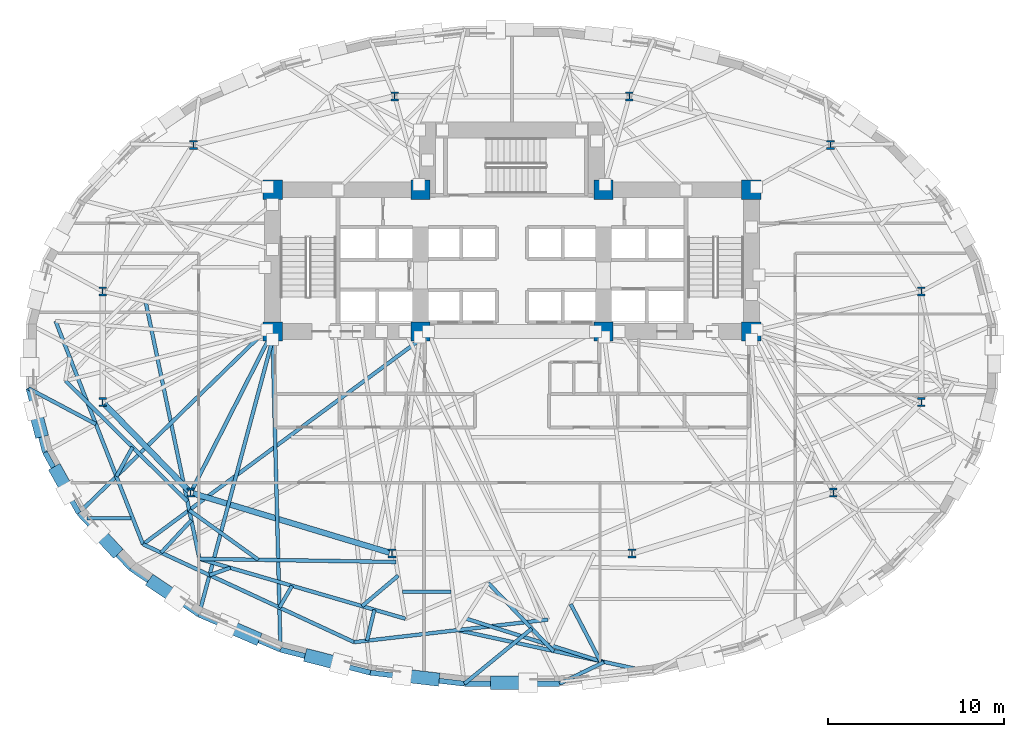
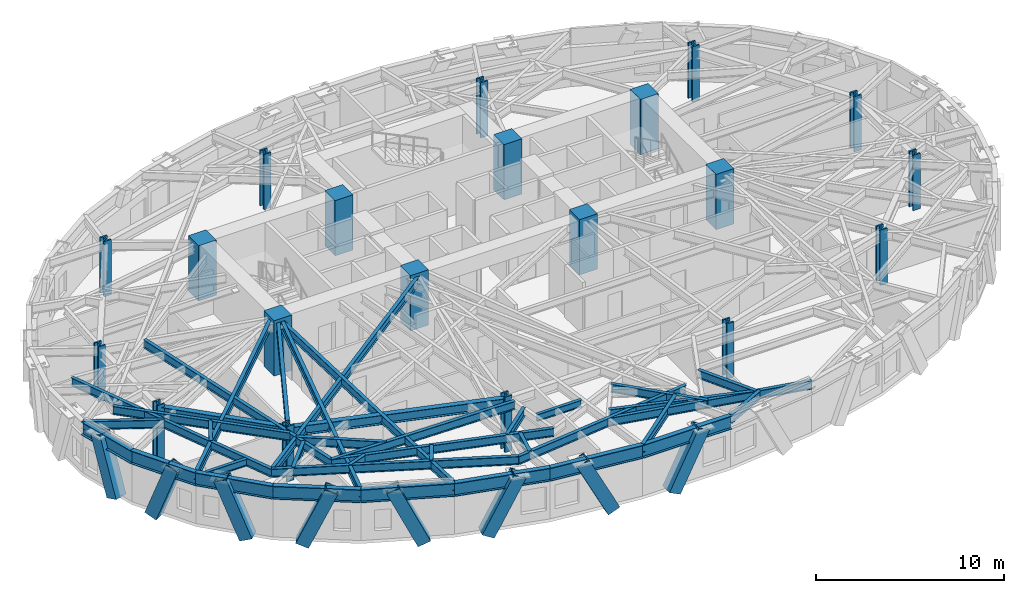
# One storey, part 1 of 14: 38 beams, 20 columns, 8 members.
"""IFC4 building model written with IfcOpenShell, lengths in metres."""

import ifcopenshell
import ifcopenshell.guid

model = None  # the IFC model being written
_history = None  # IfcOwnerHistory: only IFC2X3 demands one
_inside = {}  # id of a spatial element -> (the spatial element, [elements in it])
_under = {}  # id of a project, library or spatial element -> (it, [spatial elements below it])
_declared = {}  # id of a project -> (the project, [libraries it declares])
_typed = {}  # id of a type object -> (the type object, [elements of that type])
_made_of = {}  # id of a material, layer set ... -> (it, [elements and type objects made of it])


def new_model(schema):
    """Start an empty IFC model of exactly this schema.

    Asked for "IFC4X3", IfcOpenShell would pick the latest addendum, in which some entities
    have other attributes; the version numbers below select the first issue.
    IFC2X3 requires an IfcOwnerHistory on every rooted entity: one is made here for all.
    """
    global model, _history
    if schema == "IFC4X3":
        model = ifcopenshell.file(schema_version=(4, 3, 0, 0))
    else:
        model = ifcopenshell.file(schema=schema)
    _inside.clear()
    _under.clear()
    _declared.clear()
    _typed.clear()
    _made_of.clear()
    _history = None
    if model.schema == "IFC2X3":
        org = make("IfcOrganization", Name="unknown")
        user = make(
            "IfcPersonAndOrganization",
            ThePerson=make("IfcPerson", FamilyName="unknown"),
            TheOrganization=org,
        )
        app = make(
            "IfcApplication",
            ApplicationDeveloper=org,
            Version="unknown",
            ApplicationFullName="unknown",
            ApplicationIdentifier="unknown",
        )
        _history = make(
            "IfcOwnerHistory",
            OwningUser=user,
            OwningApplication=app,
            ChangeAction="ADDED",
            CreationDate=0,
        )
    return model


def make(cls, **values):
    """One entity of the class cls with the attributes given. An attribute that is None is left unset."""
    return model.create_entity(
        cls, **{name: value for name, value in values.items() if value is not None}
    )


def rooted(cls, **values):
    """An entity with a GlobalId (a new one), such as an element, a storey or a relation."""
    return make(cls, GlobalId=ifcopenshell.guid.new(), OwnerHistory=_history, **values)


def si_unit(unit_type, name, prefix=None):
    """IfcSIUnit, for example si_unit("LENGTHUNIT", "METRE", prefix="MILLI")."""
    return make("IfcSIUnit", UnitType=unit_type, Prefix=prefix, Name=name)


def assignment(units):
    """IfcUnitAssignment: the units of a project."""
    return None if units is None else make("IfcUnitAssignment", Units=units)


def point(xyz):
    """IfcCartesianPoint."""
    return None if xyz is None else make("IfcCartesianPoint", Coordinates=xyz)


def direction(xyz):
    """IfcDirection."""
    return None if xyz is None else make("IfcDirection", DirectionRatios=xyz)


def frame(location, z_axis=None, x_axis=None):
    """IfcAxis2Placement3D, a coordinate frame: its origin and axes. An axis left out is left unset."""
    return make(
        "IfcAxis2Placement3D",
        Location=point(location),
        Axis=direction(z_axis),
        RefDirection=direction(x_axis),
    )


def frame_2d(location, x_axis=None):
    """IfcAxis2Placement2D, a coordinate frame in the plane: its origin and x axis."""
    return make(
        "IfcAxis2Placement2D", Location=point(location), RefDirection=direction(x_axis)
    )


def origin():
    """The frame at (0, 0, 0) with its axes left unset."""
    return frame((0.0, 0.0, 0.0))


def origin_2d():
    """The frame at (0, 0) in the plane with its x axis left unset."""
    return frame_2d((0.0, 0.0))


def place(relative_to, where):
    """IfcLocalPlacement: puts the frame where relative to a parent placement (None: the world)."""
    return make(
        "IfcLocalPlacement", PlacementRelTo=relative_to, RelativePlacement=where
    )


def context(
    kind, dimensions, precision=None, world=None, true_north=None, identifier=None
):
    """IfcGeometricRepresentationContext, for example the 3D "Model" context."""
    return make(
        "IfcGeometricRepresentationContext",
        ContextIdentifier=identifier,
        ContextType=kind,
        CoordinateSpaceDimension=dimensions,
        Precision=precision,
        WorldCoordinateSystem=world,
        TrueNorth=true_north,
    )


def subcontext(parent, identifier, kind, view, scale=None):
    """IfcGeometricRepresentationSubContext, for example "Body" below "Model"."""
    return make(
        "IfcGeometricRepresentationSubContext",
        ContextIdentifier=identifier,
        ContextType=kind,
        ParentContext=parent,
        TargetScale=scale,
        TargetView=view,
    )


def project(units=None, contexts=None):
    """IfcProject with its units and contexts."""
    return rooted(
        "IfcProject",
        Name="project",
        RepresentationContexts=contexts,
        UnitsInContext=assignment(units),
    )


def spatial(cls, under=None, at=None, **own):
    """A site, building, storey or space (cls), placed at a placement, below another one or the project."""
    s = rooted(cls, ObjectPlacement=at, **own)
    if under is not None:
        _under.setdefault(under.id(), (under, []))[1].append(s)
    return s


def profile(cls, at=None, kind="AREA", **sizes):
    """A parametric profile (cls). Its sizes go by their IFC names, for example OverallWidth=200.0."""
    return make(cls, ProfileType=kind, Position=at, **sizes)


def rectangle(**sizes):
    """IfcRectangleProfileDef."""
    return profile("IfcRectangleProfileDef", **sizes)


def hollow_rectangle(**sizes):
    """IfcRectangleHollowProfileDef."""
    return profile("IfcRectangleHollowProfileDef", **sizes)


def i_section(**sizes):
    """IfcIShapeProfileDef."""
    return profile("IfcIShapeProfileDef", **sizes)


def extrude(swept, where, along, depth):
    """IfcExtrudedAreaSolid: the profile swept, set in the frame where, extruded along a direction by depth."""
    return make(
        "IfcExtrudedAreaSolid",
        SweptArea=swept,
        Position=where,
        ExtrudedDirection=direction(along),
        Depth=depth,
    )


def shape(context_of_items, identifier, shape_type, items):
    """IfcShapeRepresentation: the items that make up one representation, for example the "Body"."""
    return make(
        "IfcShapeRepresentation",
        ContextOfItems=context_of_items,
        RepresentationIdentifier=identifier,
        RepresentationType=shape_type,
        Items=items,
    )


def material(Name=None, Category=None):
    """IfcMaterial."""
    return make("IfcMaterial", Name=Name, Category=Category)


def material_profile(
    of_material, cross_section, Name=None, Category=None, Priority=None
):
    """IfcMaterialProfile: a cross section and its material."""
    return make(
        "IfcMaterialProfile",
        Name=Name,
        Material=of_material,
        Profile=cross_section,
        Priority=Priority,
        Category=Category,
    )


def profile_set(profiles, Name=None, composite=None):
    """IfcMaterialProfileSet."""
    return make(
        "IfcMaterialProfileSet",
        Name=Name,
        MaterialProfiles=profiles,
        CompositeProfile=composite,
    )


def made_of(thing, what):
    """Note that an element or type object is made of a material, layer set ...; save() writes the relation."""
    if what is not None:
        _made_of.setdefault(what.id(), (what, []))[1].append(thing)
    return thing


def type_object(cls, material=None, **own):
    """A type object (cls), such as IfcWallType, which elements share."""
    return made_of(rooted(cls, **own), material)


def element(
    cls,
    number,
    at=None,
    inside=None,
    cuts=None,
    type_object=None,
    material=None,
    context=None,
    identifier="Body",
    shape_type=None,
    held_by="IfcProductDefinitionShape",
    body=None,
    shapes=None,
    **own,
):
    """One element of the class cls, such as IfcWall. Its Tag is "e" and its number.

    at: its placement. inside: the storey or other place that contains it. cuts: it is an
    opening in that element (IfcRelVoidsElement). A single representation is given by context,
    identifier, shape_type and body (its items); several are given by shapes. held_by: the class
    of the entity that holds the representations. save() writes the other relations.
    """
    e = rooted(cls, Tag="e%d" % number, ObjectPlacement=at, **own)
    if body is not None:
        shapes = [shape(context, identifier, shape_type, body)]
    if shapes is not None:
        e.Representation = make(held_by, Representations=shapes)
    if inside is not None:
        _inside.setdefault(inside.id(), (inside, []))[1].append(e)
    if cuts is not None:
        rooted(
            "IfcRelVoidsElement", RelatingBuildingElement=cuts, RelatedOpeningElement=e
        )
    if type_object is not None:
        _typed.setdefault(type_object.id(), (type_object, []))[1].append(e)
    return made_of(e, material)


def aggregate(whole, parts):
    """IfcRelAggregates: a whole, such as a stair, and the parts it consists of."""
    return rooted("IfcRelAggregates", RelatingObject=whole, RelatedObjects=parts)


def save(model, path):
    """Write the relations noted so far, then the file.

    IfcRelAggregates (storeys below a building ...), IfcRelContainedInSpatialStructure (elements
    in a storey), IfcRelDefinesByType, IfcRelAssociatesMaterial and IfcRelDeclares: one each for
    every whole, place, type object, material and project.
    """
    for whole, parts in _under.values():
        aggregate(whole, parts)
    for where, things in _inside.values():
        rooted(
            "IfcRelContainedInSpatialStructure",
            RelatedElements=things,
            RelatingStructure=where,
        )
    for kind, things in _typed.values():
        rooted("IfcRelDefinesByType", RelatedObjects=things, RelatingType=kind)
    for what, things in _made_of.values():
        rooted("IfcRelAssociatesMaterial", RelatedObjects=things, RelatingMaterial=what)
    for by, libraries in _declared.values():
        rooted("IfcRelDeclares", RelatingContext=by, RelatedDefinitions=libraries)
    model.write(path)


model = new_model("IFC4")

# Units and contexts
model_context = context("Model", 3, precision=1e-05, world=origin(), true_north=direction((0.0, 1.0)))
body_context = subcontext(model_context, "Body", "Model", "MODEL_VIEW")
ifc_project = project(units=[si_unit("LENGTHUNIT", "METRE"), si_unit("AREAUNIT", "SQUARE_METRE"), si_unit("VOLUMEUNIT", "CUBIC_METRE"), si_unit("PLANEANGLEUNIT", "RADIAN"), si_unit("MASSUNIT", "GRAM", prefix="KILO")], contexts=[model_context])

# Site, building, storey
site_placement = place(None, origin())
site = spatial("IfcSite", under=ifc_project, at=site_placement, CompositionType="ELEMENT")
building_placement = place(site_placement, origin())
building = spatial("IfcBuilding", under=site, at=building_placement, Name="Keldmark Tower", CompositionType="ELEMENT")
storey_placement = place(building_placement, frame((0.0, 0.0, 41.39990234375)))
storey = spatial("IfcBuildingStorey", under=building, at=storey_placement, Name="L10", CompositionType="ELEMENT", Elevation=41.39990234375)

# Columns
ifc_material_1 = material(Name="Concrete C70/85", Category="concrete")
ifc_material_profile_1 = material_profile(ifc_material_1, rectangle(XDim=1.10009765625, YDim=1.10009765625, at=origin_2d()), Name="RC1100X1100")
ifc_profile_set_1 = profile_set([ifc_material_profile_1], Name="Concrete C70/85")
column_type_1 = type_object("IfcColumnType", Name="Core Boundary Column RC1100", PredefinedType="COLUMN", material=ifc_profile_set_1)
for number, where, z_axis, x_axis, name in (
    (1, (-13.60009765625, 1.39990234375, 0.0), (0.0, 0.0, 1.0), (1.0, 0.0, 0.0), "L10 Core Boundary Column CC-W1"),
    (2, (-13.60009765625, 9.449951171875, 0.0), (0.0, 0.0, 1.0), (1.0, 0.0, 0.0), "L10 Core Boundary Column CC-W2"),
    (3, (-5.199951171875, 1.39990234375, 0.0), (0.0, 0.0, 1.0), (1.0, 0.0, 0.0), "L10 Core Boundary Column CC-W3"),
    (4, (-5.199951171875, 9.449951171875, 0.0), (0.0, 0.0, 1.0), (1.0, 0.0, 0.0), "L10 Core Boundary Column CC-W4"),
    (5, (5.199951171875, 1.39990234375, 0.0), (0.0, 0.0, 1.0), (1.0, 0.0, 0.0), "L10 Core Boundary Column CC-E1"),
    (6, (5.199951171875, 9.449951171875, 0.0), (0.0, 0.0, 1.0), (1.0, 0.0, 0.0), "L10 Core Boundary Column CC-E2"),
    (7, (13.60009765625, 1.39990234375, 0.0), (0.0, 0.0, 1.0), (1.0, 0.0, 0.0), "L10 Core Boundary Column CC-E3"),
    (8, (13.60009765625, 9.449951171875, 0.0), (0.0, 0.0, 1.0), (1.0, 0.0, 0.0), "L10 Core Boundary Column CC-E4"),
):
    element("IfcColumn", number, at=place(storey_placement, frame(where, z_axis=z_axis, x_axis=x_axis)), inside=storey, type_object=column_type_1, Name=name, PredefinedType="COLUMN", context=body_context, shape_type="SweptSolid", body=[
        extrude(rectangle(XDim=1.10009765625, YDim=1.10009765625, at=origin_2d()), origin(), (0.0, 0.0, 1.0), 3.60009765625),
    ])
ifc_material_2 = material(Name="Steel ASTM A992 Grade 50", Category="steel")
ifc_material_profile_2 = material_profile(ifc_material_2, i_section(OverallWidth=0.43701171875, OverallDepth=0.513916015625, WebThickness=0.060546875, FlangeThickness=0.096923828125, at=origin_2d()), Name="W14X550")
ifc_profile_set_2 = profile_set([ifc_material_profile_2], Name="Steel ASTM A992 Grade 50")
column_type_2 = type_object("IfcColumnType", Name="Tower Gravity Column W14X550", PredefinedType="COLUMN", material=ifc_profile_set_2)
for number, where, z_axis, x_axis, name in (
    (9, (23.25390625, 3.67724609375, 0.0), (0.0, 0.0, 1.0), (1.0, 0.0, 0.0), "L10 Tower Gravity Column TC-E1"),
    (10, (18.09765625, 12.00732421875, 0.0), (0.0, 0.0, 1.0), (1.0, 0.0, 0.0), "L10 Tower Gravity Column TC-E4"),
    (11, (6.6650390625, 14.760009765625, 0.0), (0.0, 0.0, 1.0), (1.0, 0.0, 0.0), "L10 Tower Gravity Column TC-N2"),
    (12, (-6.6650390625, 14.760009765625, 0.0), (0.0, 0.0, 1.0), (1.0, 0.0, 0.0), "L10 Tower Gravity Column TC-N1"),
    (13, (-18.09765625, 12.00732421875, 0.0), (0.0, 0.0, 1.0), (1.0, 0.0, 0.0), "L10 Tower Gravity Column TC-W4"),
    (14, (-23.25390625, 3.67724609375, 0.0), (0.0, 0.0, 1.0), (1.0, 0.0, 0.0), "L10 Tower Gravity Column TC-W1"),
    (15, (-23.25390625, -2.61328125, 0.0), (0.0, 0.0, 1.0), (1.0, 0.0, 0.0), "L10 Tower Gravity Column TC-W5"),
    (16, (-18.252685546875, -7.755615234375, 0.0), (0.0, 0.0, 1.0), (1.0, 0.0, 0.0), "L10 Tower Gravity Column TC-W2"),
    (17, (-6.822021484375, -11.205810546875, 0.0), (0.0, 0.0, 1.0), (1.0, 0.0, 0.0), "L10 Tower Gravity Column TC-W3"),
    (18, (6.822021484375, -11.205810546875, 0.0), (0.0, 0.0, 1.0), (1.0, 0.0, 0.0), "L10 Tower Gravity Column TC-E3"),
    (19, (18.252685546875, -7.755615234375, 0.0), (0.0, 0.0, 1.0), (1.0, 0.0, 0.0), "L10 Tower Gravity Column TC-E2"),
    (20, (23.25390625, -2.61328125, 0.0), (0.0, 0.0, 1.0), (1.0, 0.0, 0.0), "L10 Tower Gravity Column TC-E5"),
):
    element("IfcColumn", number, at=place(storey_placement, frame(where, z_axis=z_axis, x_axis=x_axis)), inside=storey, type_object=column_type_2, Name=name, PredefinedType="COLUMN", context=body_context, shape_type="SweptSolid", body=[
        extrude(i_section(OverallWidth=0.43701171875, OverallDepth=0.513916015625, WebThickness=0.060546875, FlangeThickness=0.096923828125, at=origin_2d()), origin(), (0.0, 0.0, 1.0), 3.60009765625),
    ])

# Beams
ifc_material_3 = material(Name="Steel ASTM A992 Grade 50", Category="steel")
ifc_material_profile_3 = material_profile(ifc_material_3, i_section(OverallWidth=0.19091796875, OverallDepth=0.45703125, WebThickness=0.009033203125, FlangeThickness=0.014404296875, at=origin_2d()), Name="W18X50")
ifc_profile_set_3 = profile_set([ifc_material_profile_3], Name="Steel ASTM A992 Grade 50")
beam_type_1 = type_object("IfcBeamType", Name="Composite Floor Joist W18X50", PredefinedType="JOIST", material=ifc_profile_set_3)
beam_1_placement = place(storey_placement, frame((-6.2177734375, -13.3798828125, 3.171630859375), z_axis=(1.0, 0.0, 0.0), x_axis=(0.0, 1.0, 0.0)))
element("IfcBeam", 21, at=beam_1_placement, inside=storey, type_object=beam_type_1, Name="L10 Composite Floor Joist J01", PredefinedType="JOIST", context=body_context, shape_type="SweptSolid", body=[
    extrude(i_section(OverallWidth=0.19091796875, OverallDepth=0.45703125, WebThickness=0.009033203125, FlangeThickness=0.014404296875, at=origin_2d()), origin(), (0.0, 0.0, 1.0), 2.74853515625),
])
beam_2_placement = place(storey_placement, frame((-24.150390625, -9.199951171875, 3.171630859375), z_axis=(1.0, 0.0, 0.0), x_axis=(0.0, 1.0, 0.0)))
element("IfcBeam", 22, at=beam_2_placement, inside=storey, type_object=beam_type_1, Name="L10 Composite Floor Joist J04", PredefinedType="JOIST", context=body_context, shape_type="SweptSolid", body=[
    extrude(i_section(OverallWidth=0.19091796875, OverallDepth=0.45703125, WebThickness=0.009033203125, FlangeThickness=0.014404296875, at=origin_2d()), origin(), (0.0, 0.0, 1.0), 2.499755859375),
])

# Members
ifc_material_4 = material(Name="Steel ASTM A572 Grade 50", Category="steel")
ifc_material_profile_4 = material_profile(ifc_material_4, hollow_rectangle(XDim=0.75, YDim=0.75, WallThickness=0.06494140625, at=origin_2d()), Name="BOX750X750X65")
ifc_profile_set_4 = profile_set([ifc_material_profile_4], Name="Steel ASTM A572 Grade 50")
member_type = type_object("IfcMemberType", Name="Diagrid Lower Brace BOX750X750X65", PredefinedType="BRACE", material=ifc_profile_set_4)
member_1_placement = place(storey_placement, frame((-26.787841796875, -4.24169921875, -0.27978515625), z_axis=(-0.081948812842, 0.320092321881, 0.943835418676), x_axis=(-0.968755649676, -0.248017118805, 0.0)))
element("IfcMember", 23, at=member_1_placement, inside=storey, type_object=member_type, Name="L10 Perimeter Diagrid Brace 09A", PredefinedType="BRACE", context=body_context, shape_type="SweptSolid", body=[
    extrude(hollow_rectangle(XDim=0.75, YDim=0.75, WallThickness=0.06494140625, at=origin_2d()), origin(), (0.0, 0.0, 1.0), 3.771728515625),
])
member_2_placement = place(storey_placement, frame((-25.837646484375, -6.590087890625, -0.27978515625), z_axis=(0.169438111504, -0.303638240047, 0.937600418916), x_axis=(0.87323979418, 0.487290736481, 0.0)))
element("IfcMember", 24, at=member_2_placement, inside=storey, type_object=member_type, Name="L10 Perimeter Diagrid Brace 09B", PredefinedType="BRACE", context=body_context, shape_type="SweptSolid", body=[
    extrude(hollow_rectangle(XDim=0.75, YDim=0.75, WallThickness=0.06494140625, at=origin_2d()), origin(), (0.0, 0.0, 1.0), 3.796630859375),
])
member_3_placement = place(storey_placement, frame((-22.598388671875, -10.9775390625, -0.27978515625), z_axis=(-0.25500258471, 0.272689889737, 0.92769278634), x_axis=(-0.730397557148, -0.683022260627, 0.0)))
element("IfcMember", 25, at=member_3_placement, inside=storey, type_object=member_type, Name="L10 Perimeter Diagrid Brace 10A", PredefinedType="BRACE", context=body_context, shape_type="SweptSolid", body=[
    extrude(hollow_rectangle(XDim=0.75, YDim=0.75, WallThickness=0.06494140625, at=origin_2d()), origin(), (0.0, 0.0, 1.0), 3.837158203125),
])
member_4_placement = place(storey_placement, frame((-20.330810546875, -12.89208984375, -0.27978515625), z_axis=(0.333135851451, -0.225711154536, 0.915464351679), x_axis=(0.560913692164, 0.8278742839, 0.0)))
element("IfcMember", 26, at=member_4_placement, inside=storey, type_object=member_type, Name="L10 Perimeter Diagrid Brace 10B", PredefinedType="BRACE", context=body_context, shape_type="SweptSolid", body=[
    extrude(hollow_rectangle(XDim=0.75, YDim=0.75, WallThickness=0.06494140625, at=origin_2d()), origin(), (0.0, 0.0, 1.0), 3.888427734375),
])
member_5_placement = place(storey_placement, frame((-14.65966796875, -15.96533203125, -0.27978515625), z_axis=(-0.392325591108, 0.168378751163, 0.904283819782), x_axis=(-0.394392607633, -0.918942039001, 0.0)))
element("IfcMember", 27, at=member_5_placement, inside=storey, type_object=member_type, Name="L10 Perimeter Diagrid Brace 11A", PredefinedType="BRACE", context=body_context, shape_type="SweptSolid", body=[
    extrude(hollow_rectangle(XDim=0.75, YDim=0.75, WallThickness=0.06494140625, at=origin_2d()), origin(), (0.0, 0.0, 1.0), 3.9365234375),
])
member_6_placement = place(storey_placement, frame((-11.424072265625, -17.057861328125, -0.27978515625), z_axis=(0.428568073228, -0.109848246094, 0.896806985611), x_axis=(0.248288387192, 0.968686160108, 0.0)))
element("IfcMember", 28, at=member_6_placement, inside=storey, type_object=member_type, Name="L10 Perimeter Diagrid Brace 11B", PredefinedType="BRACE", context=body_context, shape_type="SweptSolid", body=[
    extrude(hollow_rectangle(XDim=0.75, YDim=0.75, WallThickness=0.06494140625, at=origin_2d()), origin(), (0.0, 0.0, 1.0), 3.969482421875),
])
member_7_placement = place(storey_placement, frame((-4.469482421875, -18.34423828125, -0.27978515625), z_axis=(-0.446963157754, 0.052547874672, 0.893007646371), x_axis=(-0.116762289112, -0.993159890371, 0.0)))
element("IfcMember", 29, at=member_7_placement, inside=storey, type_object=member_type, Name="L10 Perimeter Diagrid Brace 12A", PredefinedType="BRACE", context=body_context, shape_type="SweptSolid", body=[
    extrude(hollow_rectangle(XDim=0.75, YDim=0.75, WallThickness=0.06494140625, at=origin_2d()), origin(), (0.0, 0.0, 1.0), 3.986328125),
])
member_8_placement = place(storey_placement, frame((-0.895751953125, -18.551513671875, -0.27978515625), z_axis=(0.451930390939, 0.0, 0.89205320567), x_axis=(0.0, 1.0, 0.0)))
element("IfcMember", 30, at=member_8_placement, inside=storey, type_object=member_type, Name="L10 Perimeter Diagrid Brace 12B", PredefinedType="BRACE", context=body_context, shape_type="SweptSolid", body=[
    extrude(hollow_rectangle(XDim=0.75, YDim=0.75, WallThickness=0.06494140625, at=origin_2d()), origin(), (0.0, 0.0, 1.0), 3.990478515625),
])

# Beams
ifc_material_5 = material(Name="Steel ASTM A992 Grade 50", Category="steel")
ifc_material_profile_5 = material_profile(ifc_material_5, i_section(OverallWidth=0.323974609375, OverallDepth=0.611083984375, WebThickness=0.0126953125, FlangeThickness=0.01904296875, at=origin_2d()), Name="W24X104")
ifc_profile_set_5 = profile_set([ifc_material_profile_5], Name="Steel ASTM A992 Grade 50")
beam_type_2 = type_object("IfcBeamType", Name="Primary Floor Girder W24X104", PredefinedType="BEAM", material=ifc_profile_set_5)
beam_3_placement = place(storey_placement, frame((-23.156494140625, -2.713623046875, 3.094482421875), z_axis=(0.697210382268, -0.716866572563, 0.0), x_axis=(0.716866572563, 0.697210382268, 0.0)))
element("IfcBeam", 31, at=beam_3_placement, inside=storey, type_object=beam_type_2, Name="L10 Floor Ring Girder FG-R07", PredefinedType="BEAM", context=body_context, shape_type="SweptSolid", body=[
    extrude(i_section(OverallWidth=0.323974609375, OverallDepth=0.611083984375, WebThickness=0.0126953125, FlangeThickness=0.01904296875, at=origin_2d()), origin(), (0.0, 0.0, 1.0), 6.893310546875),
])
beam_4_placement = place(storey_placement, frame((-18.118896484375, -7.796142578125, 3.094482421875), z_axis=(0.957346071406, -0.2889437654, 0.0), x_axis=(0.2889437654, 0.957346071406, 0.0)))
element("IfcBeam", 32, at=beam_4_placement, inside=storey, type_object=beam_type_2, Name="L10 Floor Ring Girder FG-R08", PredefinedType="BEAM", context=body_context, shape_type="SweptSolid", body=[
    extrude(i_section(OverallWidth=0.323974609375, OverallDepth=0.611083984375, WebThickness=0.0126953125, FlangeThickness=0.01904296875, at=origin_2d()), origin(), (0.0, 0.0, 1.0), 11.66015625),
])
ifc_material_6 = material(Name="Steel ASTM A992 Grade 50", Category="steel")
ifc_material_profile_6 = material_profile(ifc_material_6, i_section(OverallWidth=0.2099609375, OverallDepth=0.537109375, WebThickness=0.010986328125, FlangeThickness=0.017333984375, at=origin_2d()), Name="W21X68")
ifc_profile_set_6 = profile_set([ifc_material_profile_6], Name="Steel ASTM A992 Grade 50")
beam_type_3 = type_object("IfcBeamType", Name="Radial Tie Girder W21X68", PredefinedType="BEAM", material=ifc_profile_set_6)
beam_5_placement = place(storey_placement, frame((-25.365966796875, -1.396728515625, 3.131591796875), z_axis=(0.710554680152, -0.703641987458, 0.0), x_axis=(0.703641987458, 0.710554680152, 0.0)))
element("IfcBeam", 33, at=beam_5_placement, inside=storey, type_object=beam_type_3, Name="L10 Framing Pin Header PH-006", PredefinedType="BEAM", context=body_context, shape_type="SweptSolid", body=[
    extrude(i_section(OverallWidth=0.2099609375, OverallDepth=0.537109375, WebThickness=0.010986328125, FlangeThickness=0.017333984375, at=origin_2d()), origin(), (0.0, 0.0, 1.0), 9.747802734375),
])
beam_6_placement = place(storey_placement, frame((-20.816162109375, 3.102294921875, 3.131591796875), z_axis=(0.204805979275, -0.978802590338, 0.0), x_axis=(0.978802590338, 0.204805979275, 0.0)))
element("IfcBeam", 34, at=beam_6_placement, inside=storey, type_object=beam_type_3, Name="L10 Sub-Ring Step Girder STP1-M08", PredefinedType="BEAM", context=body_context, shape_type="SweptSolid", body=[
    extrude(i_section(OverallWidth=0.2099609375, OverallDepth=0.537109375, WebThickness=0.010986328125, FlangeThickness=0.017333984375, at=origin_2d()), origin(), (0.0, 0.0, 1.0), 14.9365234375),
])
beam_7_placement = place(storey_placement, frame((-17.757080078125, -11.517578125, 3.131591796875), z_axis=(0.999875069683, -0.015806486835, 0.0), x_axis=(0.015806486835, 0.999875069683, 0.0)))
element("IfcBeam", 35, at=beam_7_placement, inside=storey, type_object=beam_type_3, Name="L10 Framing Pin Header PH-007", PredefinedType="BEAM", context=body_context, shape_type="SweptSolid", body=[
    extrude(i_section(OverallWidth=0.2099609375, OverallDepth=0.537109375, WebThickness=0.010986328125, FlangeThickness=0.017333984375, at=origin_2d()), origin(), (0.0, 0.0, 1.0), 11.167236328125),
])
beam_8_placement = place(storey_placement, frame((-17.757080078125, -11.517578125, 3.131591796875), z_axis=(0.960268785137, -0.27907679999, 0.0), x_axis=(0.27907679999, 0.960268785137, 0.0)))
element("IfcBeam", 36, at=beam_8_placement, inside=storey, type_object=beam_type_3, Name="L10 Perimeter Collector Ring Beam CRG1-M08", PredefinedType="BEAM", context=body_context, shape_type="SweptSolid", body=[
    extrude(i_section(OverallWidth=0.2099609375, OverallDepth=0.537109375, WebThickness=0.010986328125, FlangeThickness=0.017333984375, at=origin_2d()), origin(), (0.0, 0.0, 1.0), 12.177490234375),
])
beam_9_placement = place(storey_placement, frame((-14.4072265625, -11.570556640625, 3.131591796875), z_axis=(-0.812111005772, 0.583502968548, 0.0), x_axis=(-0.583502968548, -0.812111005772, 0.0)))
element("IfcBeam", 37, at=beam_9_placement, inside=storey, type_object=beam_type_3, Name="L10 Framing Pin Header PH-011", PredefinedType="BEAM", context=body_context, shape_type="SweptSolid", body=[
    extrude(i_section(OverallWidth=0.2099609375, OverallDepth=0.537109375, WebThickness=0.010986328125, FlangeThickness=0.017333984375, at=origin_2d()), origin(), (0.0, 0.0, 1.0), 4.8388671875),
])
beam_10_placement = place(storey_placement, frame((-5.199951171875, 0.949951171875, 3.131591796875), z_axis=(-0.804551966945, -0.593882254731, 0.0), x_axis=(0.593882254731, -0.804551966945, 0.0)))
element("IfcBeam", 38, at=beam_10_placement, inside=storey, type_object=beam_type_3, Name="L10 Sub-Ring Step Girder STP2-M08", PredefinedType="BEAM", context=body_context, shape_type="SweptSolid", body=[
    extrude(i_section(OverallWidth=0.2099609375, OverallDepth=0.537109375, WebThickness=0.010986328125, FlangeThickness=0.017333984375, at=origin_2d()), origin(), (0.0, 0.0, 1.0), 19.59423828125),
])
beam_11_placement = place(storey_placement, frame((-6.46435546875, -12.46875, 3.131591796875), z_axis=(-0.764329245395, -0.644826181722, 0.0), x_axis=(0.644826181722, -0.764329245395, 0.0)))
element("IfcBeam", 39, at=beam_11_placement, inside=storey, type_object=beam_type_3, Name="L10 Framing Pin Header PH-012", PredefinedType="BEAM", context=body_context, shape_type="SweptSolid", body=[
    extrude(i_section(OverallWidth=0.2099609375, OverallDepth=0.537109375, WebThickness=0.010986328125, FlangeThickness=0.017333984375, at=origin_2d()), origin(), (0.0, 0.0, 1.0), 2.6884765625),
])
beam_12_placement = place(storey_placement, frame((-25.929931640625, 1.986328125, 3.131591796875), z_axis=(0.364800365892, -0.931085760306, 0.0), x_axis=(0.931085760306, 0.364800365892, 0.0)))
element("IfcBeam", 40, at=beam_12_placement, inside=storey, type_object=beam_type_3, Name="L10 Perimeter Collector Ring Beam CRG2-M07", PredefinedType="BEAM", context=body_context, shape_type="SweptSolid", body=[
    extrude(i_section(OverallWidth=0.2099609375, OverallDepth=0.537109375, WebThickness=0.010986328125, FlangeThickness=0.017333984375, at=origin_2d()), origin(), (0.0, 0.0, 1.0), 13.611083984375),
])
beam_13_placement = place(storey_placement, frame((-20.964599609375, -10.686767578125, 3.131591796875), z_axis=(0.907178634648, -0.420745677147, 0.0), x_axis=(0.420745677147, 0.907178634648, 0.0)))
element("IfcBeam", 41, at=beam_13_placement, inside=storey, type_object=beam_type_3, Name="L10 Perimeter Collector Ring Beam CRG2-M08", PredefinedType="BEAM", context=body_context, shape_type="SweptSolid", body=[
    extrude(i_section(OverallWidth=0.2099609375, OverallDepth=0.537109375, WebThickness=0.010986328125, FlangeThickness=0.017333984375, at=origin_2d()), origin(), (0.0, 0.0, 1.0), 13.22412109375),
])
beam_14_placement = place(storey_placement, frame((-8.968017578125, -16.250732421875, 3.131591796875), z_axis=(0.993286026042, 0.115684357068, 0.0), x_axis=(-0.115684357068, 0.993286026042, 0.0)))
element("IfcBeam", 42, at=beam_14_placement, inside=storey, type_object=beam_type_3, Name="L10 Perimeter Collector Ring Beam CRG2-M09", PredefinedType="BEAM", context=body_context, shape_type="SweptSolid", body=[
    extrude(i_section(OverallWidth=0.2099609375, OverallDepth=0.537109375, WebThickness=0.010986328125, FlangeThickness=0.017333984375, at=origin_2d()), origin(), (0.0, 0.0, 1.0), 11.081787109375),
])
beam_15_placement = place(storey_placement, frame((-27.4658203125, -1.8330078125, 3.131591796875), z_axis=(0.88344089832, -0.46854261191, 0.0), x_axis=(0.46854261191, 0.88344089832, 0.0)))
element("IfcBeam", 43, at=beam_15_placement, inside=storey, type_object=beam_type_3, Name="L10 Framing Pin Header PH-026", PredefinedType="BEAM", context=body_context, shape_type="SweptSolid", body=[
    extrude(i_section(OverallWidth=0.2099609375, OverallDepth=0.537109375, WebThickness=0.010986328125, FlangeThickness=0.017333984375, at=origin_2d()), origin(), (0.0, 0.0, 1.0), 4.332763671875),
])
beam_16_placement = place(storey_placement, frame((-21.556396484375, -5.169189453125, 3.131591796875), z_axis=(-0.484277203672, -0.874914618693, 0.0), x_axis=(0.874914618693, -0.484277203672, 0.0)))
element("IfcBeam", 44, at=beam_16_placement, inside=storey, type_object=beam_type_3, Name="L10 Framing Pin Header PH-027", PredefinedType="BEAM", context=body_context, shape_type="SweptSolid", body=[
    extrude(i_section(OverallWidth=0.2099609375, OverallDepth=0.537109375, WebThickness=0.010986328125, FlangeThickness=0.017333984375, at=origin_2d()), origin(), (0.0, 0.0, 1.0), 1.89794921875),
])
beam_17_placement = place(storey_placement, frame((-14.050048828125, 1.39990234375, 3.131591796875), z_axis=(-0.715378294414, -0.698737358298, 0.0), x_axis=(0.698737358298, -0.715378294414, 0.0)))
element("IfcBeam", 45, at=beam_17_placement, inside=storey, type_object=beam_type_3, Name="L10 Perimeter Radial Tie Girder RT-19", PredefinedType="BEAM", context=body_context, shape_type="SweptSolid", body=[
    extrude(i_section(OverallWidth=0.2099609375, OverallDepth=0.537109375, WebThickness=0.010986328125, FlangeThickness=0.017333984375, at=origin_2d()), origin(), (0.0, 0.0, 1.0), 14.759033203125),
])
beam_18_placement = place(storey_placement, frame((-18.216064453125, -9.32470703125, 3.131591796875), z_axis=(-0.681733860463, -0.731600262096, 0.0), x_axis=(0.731600262096, -0.681733860463, 0.0)))
element("IfcBeam", 46, at=beam_18_placement, inside=storey, type_object=beam_type_3, Name="L10 Framing Pin Header PH-028", PredefinedType="BEAM", context=body_context, shape_type="SweptSolid", body=[
    extrude(i_section(OverallWidth=0.2099609375, OverallDepth=0.537109375, WebThickness=0.010986328125, FlangeThickness=0.017333984375, at=origin_2d()), origin(), (0.0, 0.0, 1.0), 2.5166015625),
])
beam_19_placement = place(storey_placement, frame((-16.003173828125, -12.02734375, 3.131591796875), z_axis=(-0.944183253005, -0.329420680505, 0.0), x_axis=(0.329420680505, -0.944183253005, 0.0)))
element("IfcBeam", 47, at=beam_19_placement, inside=storey, type_object=beam_type_3, Name="L10 Framing Pin Header PH-029", PredefinedType="BEAM", context=body_context, shape_type="SweptSolid", body=[
    extrude(i_section(OverallWidth=0.2099609375, OverallDepth=0.537109375, WebThickness=0.010986328125, FlangeThickness=0.017333984375, at=origin_2d()), origin(), (0.0, 0.0, 1.0), 1.251708984375),
])
beam_20_placement = place(storey_placement, frame((-13.60009765625, 0.949951171875, 3.131591796875), z_axis=(-0.258628523431, -0.96597685628, 0.0), x_axis=(0.96597685628, -0.258628523431, 0.0)))
element("IfcBeam", 48, at=beam_20_placement, inside=storey, type_object=beam_type_3, Name="L10 Perimeter Radial Tie Girder RT-21", PredefinedType="BEAM", context=body_context, shape_type="SweptSolid", body=[
    extrude(i_section(OverallWidth=0.2099609375, OverallDepth=0.537109375, WebThickness=0.010986328125, FlangeThickness=0.017333984375, at=origin_2d()), origin(), (0.0, 0.0, 1.0), 16.1865234375),
])
beam_21_placement = place(storey_placement, frame((-12.4951171875, -13.046875, 3.131591796875), z_axis=(-0.503244034677, -0.864144340699, 0.0), x_axis=(0.864144340699, -0.503244034677, 0.0)))
element("IfcBeam", 49, at=beam_21_placement, inside=storey, type_object=beam_type_3, Name="L10 Framing Pin Header PH-030", PredefinedType="BEAM", context=body_context, shape_type="SweptSolid", body=[
    extrude(i_section(OverallWidth=0.2099609375, OverallDepth=0.537109375, WebThickness=0.010986328125, FlangeThickness=0.017333984375, at=origin_2d()), origin(), (0.0, 0.0, 1.0), 1.4287109375),
])
beam_22_placement = place(storey_placement, frame((-13.60009765625, 0.949951171875, 3.131591796875), z_axis=(0.02534127953, -0.99967885821, 0.0), x_axis=(0.99967885821, 0.02534127953, 0.0)))
element("IfcBeam", 50, at=beam_22_placement, inside=storey, type_object=beam_type_3, Name="L10 Perimeter Radial Tie Girder RT-22", PredefinedType="BEAM", context=body_context, shape_type="SweptSolid", body=[
    extrude(i_section(OverallWidth=0.2099609375, OverallDepth=0.537109375, WebThickness=0.010986328125, FlangeThickness=0.017333984375, at=origin_2d()), origin(), (0.0, 0.0, 1.0), 17.63037109375),
])
beam_23_placement = place(storey_placement, frame((-7.8173828125, -14.40625, 3.131591796875), z_axis=(-0.233031009995, -0.972469304596, 0.0), x_axis=(0.972469304596, -0.233031009995, 0.0)))
element("IfcBeam", 51, at=beam_23_placement, inside=storey, type_object=beam_type_3, Name="L10 Framing Pin Header PH-031", PredefinedType="BEAM", context=body_context, shape_type="SweptSolid", body=[
    extrude(i_section(OverallWidth=0.2099609375, OverallDepth=0.537109375, WebThickness=0.010986328125, FlangeThickness=0.017333984375, at=origin_2d()), origin(), (0.0, 0.0, 1.0), 1.809326171875),
])
beam_24_placement = place(storey_placement, frame((-1.34912109375, -12.88818359375, 3.131591796875), z_axis=(0.690178466372, -0.723639195011, 0.0), x_axis=(0.723639195011, 0.690178466372, 0.0)))
element("IfcBeam", 52, at=beam_24_placement, inside=storey, type_object=beam_type_3, Name="L10 Local Collector Chord RT-25C", PredefinedType="BEAM", context=body_context, shape_type="SweptSolid", body=[
    extrude(i_section(OverallWidth=0.2099609375, OverallDepth=0.537109375, WebThickness=0.010986328125, FlangeThickness=0.017333984375, at=origin_2d()), origin(), (0.0, 0.0, 1.0), 5.39208984375),
])
beam_25_placement = place(storey_placement, frame((-2.705078125, -18.611083984375, 3.131591796875), z_axis=(0.774080458609, 0.63308723222, 0.0), x_axis=(-0.63308723222, 0.774080458609, 0.0)))
element("IfcBeam", 53, at=beam_25_placement, inside=storey, type_object=beam_type_3, Name="L10 Framing Pin Header PH-034", PredefinedType="BEAM", context=body_context, shape_type="SweptSolid", body=[
    extrude(i_section(OverallWidth=0.2099609375, OverallDepth=0.537109375, WebThickness=0.010986328125, FlangeThickness=0.017333984375, at=origin_2d()), origin(), (0.0, 0.0, 1.0), 4.9453125),
])
beam_26_placement = place(storey_placement, frame((-2.657470703125, -14.89697265625, 3.131591796875), z_axis=(0.953420236774, -0.301645242147, 0.0), x_axis=(0.301645242147, 0.953420236774, 0.0)))
element("IfcBeam", 54, at=beam_26_placement, inside=storey, type_object=beam_type_3, Name="L10 Intermediate Radial Step Girder RT-26M", PredefinedType="BEAM", context=body_context, shape_type="SweptSolid", body=[
    extrude(i_section(OverallWidth=0.2099609375, OverallDepth=0.537109375, WebThickness=0.010986328125, FlangeThickness=0.017333984375, at=origin_2d()), origin(), (0.0, 0.0, 1.0), 8.253173828125),
])
beam_27_placement = place(storey_placement, frame((2.705078125, -18.611083984375, 3.131591796875), z_axis=(0.898468766926, 0.439037441296, 0.0), x_axis=(-0.439037441296, 0.898468766926, 0.0)))
element("IfcBeam", 55, at=beam_27_placement, inside=storey, type_object=beam_type_3, Name="L10 Local Collector Chord RT-26C", PredefinedType="BEAM", context=body_context, shape_type="SweptSolid", body=[
    extrude(i_section(OverallWidth=0.2099609375, OverallDepth=0.537109375, WebThickness=0.010986328125, FlangeThickness=0.017333984375, at=origin_2d()), origin(), (0.0, 0.0, 1.0), 2.789306640625),
])
beam_28_placement = place(storey_placement, frame((3.33544921875, -14.087646484375, 3.131591796875), z_axis=(0.461051419369, -0.887373421226, 0.0), x_axis=(0.887373421226, 0.461051419369, 0.0)))
element("IfcBeam", 56, at=beam_28_placement, inside=storey, type_object=beam_type_3, Name="L10 Framing Pin Header PH-036", PredefinedType="BEAM", context=body_context, shape_type="SweptSolid", body=[
    extrude(i_section(OverallWidth=0.2099609375, OverallDepth=0.537109375, WebThickness=0.010986328125, FlangeThickness=0.017333984375, at=origin_2d()), origin(), (0.0, 0.0, 1.0), 3.6484375),
])
beam_29_placement = place(storey_placement, frame((-3.093505859375, -15.56640625, 3.131591796875), z_axis=(0.977291004222, -0.21190161176, 0.0), x_axis=(0.21190161176, 0.977291004222, 0.0)))
element("IfcBeam", 57, at=beam_29_placement, inside=storey, type_object=beam_type_3, Name="L10 Perimeter Radial Tie Girder RT-26", PredefinedType="BEAM", context=body_context, shape_type="SweptSolid", body=[
    extrude(i_section(OverallWidth=0.2099609375, OverallDepth=0.537109375, WebThickness=0.010986328125, FlangeThickness=0.017333984375, at=origin_2d()), origin(), (0.0, 0.0, 1.0), 11.40283203125),
])
ifc_material_7 = material(Name="Steel ASTM A992 Grade 50", Category="steel")
ifc_material_profile_7 = material_profile(ifc_material_7, i_section(OverallWidth=0.214111328125, OverallDepth=0.549072265625, WebThickness=0.0146484375, FlangeThickness=0.023681640625, at=origin_2d()), Name="W21X93")
ifc_profile_set_7 = profile_set([ifc_material_profile_7], Name="Steel ASTM A992 Grade 50")
beam_type_4 = type_object("IfcBeamType", Name="Radial Tie Girder W21X93", PredefinedType="BEAM", material=ifc_profile_set_7)
beam_30_placement = place(storey_placement, frame((-18.189453125, -7.630859375, 3.12548828125), z_axis=(0.453037526986, 0.891491446478, 0.0), x_axis=(-0.891491446478, 0.453037526986, 0.0)))
element("IfcBeam", 58, at=beam_30_placement, inside=storey, type_object=beam_type_4, Name="L10 Floor Radial Girder FG-C08", PredefinedType="BEAM", context=body_context, shape_type="SweptSolid", body=[
    extrude(i_section(OverallWidth=0.214111328125, OverallDepth=0.549072265625, WebThickness=0.0146484375, FlangeThickness=0.023681640625, at=origin_2d()), origin(), (0.0, 0.0, 1.0), 9.81005859375),
])
ifc_material_8 = material(Name="Steel ASTM A992 Grade 50", Category="steel")
ifc_material_profile_8 = material_profile(ifc_material_8, i_section(OverallWidth=0.2919921875, OverallDepth=0.85888671875, WebThickness=0.01708984375, FlangeThickness=0.031005859375, at=origin_2d()), Name="W33X169")
ifc_profile_set_8 = profile_set([ifc_material_profile_8], Name="Steel ASTM A992 Grade 50")
beam_type_5 = type_object("IfcBeamType", Name="Spandrel Ring Beam W33X169", PredefinedType="SPANDREL", material=ifc_profile_set_8)
beam_31_placement = place(storey_placement, frame((-27.4658203125, -1.8330078125, 2.970703125), z_axis=(0.248062710061, -0.968743976434, 0.0), x_axis=(0.968743976434, 0.248062710061, 0.0)))
element("IfcBeam", 59, at=beam_31_placement, inside=storey, type_object=beam_type_5, Name="L10 Perimeter Spandrel Ring Beam SRB-17", PredefinedType="SPANDREL", context=body_context, shape_type="SweptSolid", body=[
    extrude(i_section(OverallWidth=0.2919921875, OverallDepth=0.85888671875, WebThickness=0.01708984375, FlangeThickness=0.031005859375, at=origin_2d()), origin(), (0.0, 0.0, 1.0), 3.739013671875),
])
beam_32_placement = place(storey_placement, frame((-26.538330078125, -5.455078125, 2.970703125), z_axis=(0.487369438963, -0.873195871477, 0.0), x_axis=(0.873195871477, 0.487369438963, 0.0)))
element("IfcBeam", 60, at=beam_32_placement, inside=storey, type_object=beam_type_5, Name="L10 Perimeter Spandrel Ring Beam SRB-18", PredefinedType="SPANDREL", context=body_context, shape_type="SweptSolid", body=[
    extrude(i_section(OverallWidth=0.2919921875, OverallDepth=0.85888671875, WebThickness=0.01708984375, FlangeThickness=0.031005859375, at=origin_2d()), origin(), (0.0, 0.0, 1.0), 3.9599609375),
])
beam_33_placement = place(storey_placement, frame((-24.6083984375, -8.912841796875, 2.970703125), z_axis=(0.68299392258, -0.730424056093, 0.0), x_axis=(0.730424056093, 0.68299392258, 0.0)))
element("IfcBeam", 61, at=beam_33_placement, inside=storey, type_object=beam_type_5, Name="L10 Perimeter Spandrel Ring Beam SRB-19", PredefinedType="SPANDREL", context=body_context, shape_type="SweptSolid", body=[
    extrude(i_section(OverallWidth=0.2919921875, OverallDepth=0.85888671875, WebThickness=0.01708984375, FlangeThickness=0.031005859375, at=origin_2d()), origin(), (0.0, 0.0, 1.0), 4.298095703125),
])
beam_34_placement = place(storey_placement, frame((-21.6728515625, -12.05224609375, 2.970703125), z_axis=(0.827842346852, -0.560960826402, 0.0), x_axis=(0.560960826402, 0.827842346852, 0.0)))
element("IfcBeam", 62, at=beam_34_placement, inside=storey, type_object=beam_type_5, Name="L10 Perimeter Spandrel Ring Beam SRB-20", PredefinedType="SPANDREL", context=body_context, shape_type="SweptSolid", body=[
    extrude(i_section(OverallWidth=0.2919921875, OverallDepth=0.85888671875, WebThickness=0.01708984375, FlangeThickness=0.031005859375, at=origin_2d()), origin(), (0.0, 0.0, 1.0), 4.69482421875),
])
beam_35_placement = place(storey_placement, frame((-17.786376953125, -14.685791015625, 2.970703125), z_axis=(0.91889940345, -0.394491934442, 0.0), x_axis=(0.394491934442, 0.91889940345, 0.0)))
element("IfcBeam", 63, at=beam_35_placement, inside=storey, type_object=beam_type_5, Name="L10 Perimeter Spandrel Ring Beam SRB-21", PredefinedType="SPANDREL", context=body_context, shape_type="SweptSolid", body=[
    extrude(i_section(OverallWidth=0.2919921875, OverallDepth=0.85888671875, WebThickness=0.01708984375, FlangeThickness=0.031005859375, at=origin_2d()), origin(), (0.0, 0.0, 1.0), 5.0419921875),
])
beam_36_placement = place(storey_placement, frame((-13.1533203125, -16.6748046875, 2.970703125), z_axis=(0.968691592339, -0.248267192621, 0.0), x_axis=(0.248267192621, 0.968691592339, 0.0)))
element("IfcBeam", 64, at=beam_36_placement, inside=storey, type_object=beam_type_5, Name="L10 Perimeter Spandrel Ring Beam SRB-22", PredefinedType="SPANDREL", context=body_context, shape_type="SweptSolid", body=[
    extrude(i_section(OverallWidth=0.2919921875, OverallDepth=0.85888671875, WebThickness=0.01708984375, FlangeThickness=0.031005859375, at=origin_2d()), origin(), (0.0, 0.0, 1.0), 5.26806640625),
])
beam_37_placement = place(storey_placement, frame((-8.05029296875, -17.982666015625, 2.970703125), z_axis=(0.993159890371, -0.116762289112, 0.0), x_axis=(0.116762289112, 0.993159890371, 0.0)))
element("IfcBeam", 65, at=beam_37_placement, inside=storey, type_object=beam_type_5, Name="L10 Perimeter Spandrel Ring Beam SRB-23", PredefinedType="SPANDREL", context=body_context, shape_type="SweptSolid", body=[
    extrude(i_section(OverallWidth=0.2919921875, OverallDepth=0.85888671875, WebThickness=0.01708984375, FlangeThickness=0.031005859375, at=origin_2d()), origin(), (0.0, 0.0, 1.0), 5.382080078125),
])
beam_38_placement = place(storey_placement, frame((-2.705078125, -18.611083984375, 2.970703125), z_axis=(1.0, 0.0, 0.0), x_axis=(0.0, 1.0, 0.0)))
element("IfcBeam", 66, at=beam_38_placement, inside=storey, type_object=beam_type_5, Name="L10 Perimeter Spandrel Ring Beam SRB-24", PredefinedType="SPANDREL", context=body_context, shape_type="SweptSolid", body=[
    extrude(i_section(OverallWidth=0.2919921875, OverallDepth=0.85888671875, WebThickness=0.01708984375, FlangeThickness=0.031005859375, at=origin_2d()), origin(), (0.0, 0.0, 1.0), 5.41015625),
])

save(model, "model.ifc")
